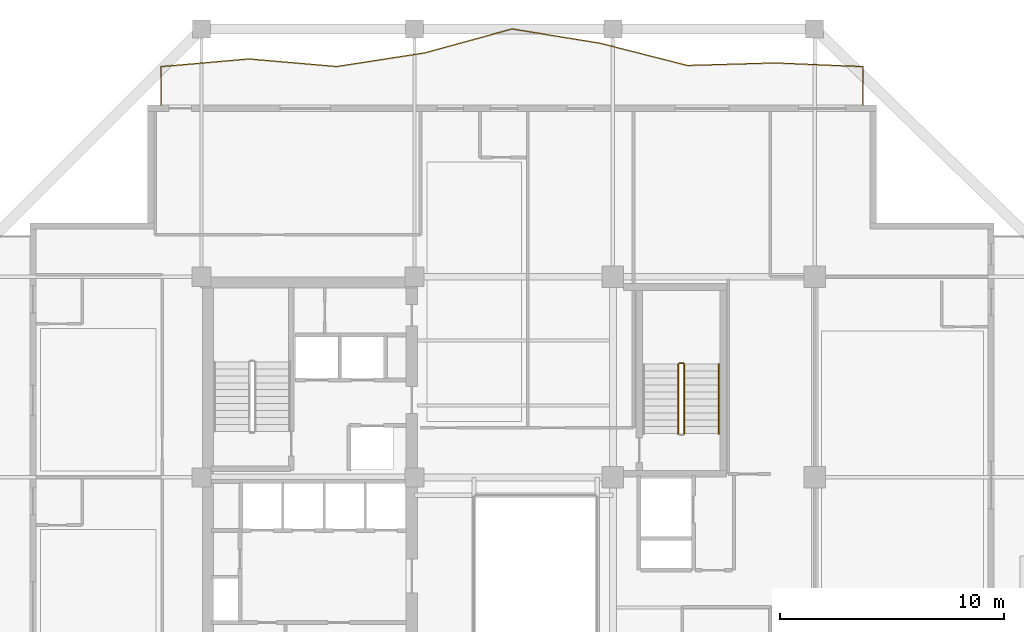
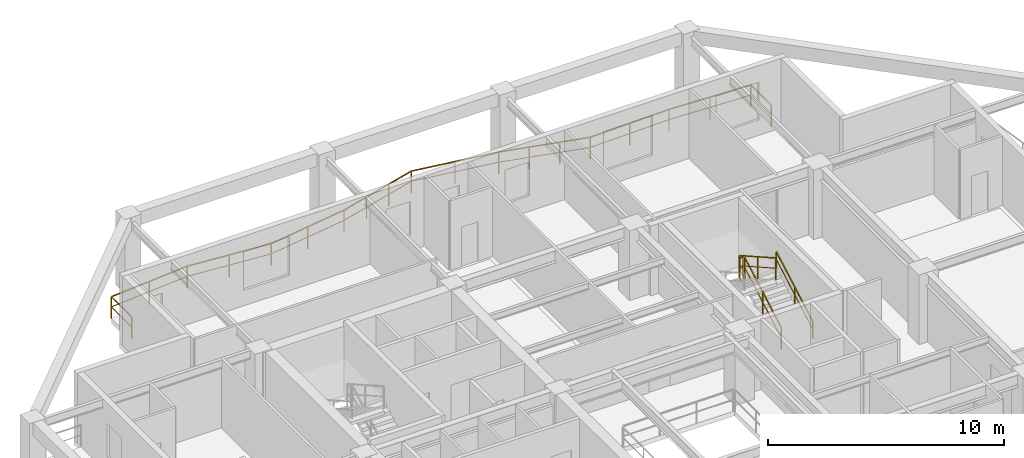
# One storey, part 12 of 13: 5 railings.
"""IFC4 building model written with IfcOpenShell, lengths in metres."""

from ifc_helpers import new_model, si_unit, direction, frame, origin, origin_2d, place, context, subcontext, project, spatial, rectangle, extrude, material, type_object, element, save


model = new_model("IFC4")

# Units and contexts
model_context = context("Model", 3, precision=1e-05, world=origin(), true_north=direction((0.0, 1.0)))
body_context = subcontext(model_context, "Body", "Model", "MODEL_VIEW")
ifc_project = project(units=[si_unit("LENGTHUNIT", "METRE"), si_unit("AREAUNIT", "SQUARE_METRE"), si_unit("VOLUMEUNIT", "CUBIC_METRE"), si_unit("PLANEANGLEUNIT", "RADIAN"), si_unit("MASSUNIT", "GRAM", prefix="KILO")], contexts=[model_context])

# Site, building, storey
site_placement = place(None, origin())
site = spatial("IfcSite", under=ifc_project, at=site_placement, CompositionType="ELEMENT")
building_placement = place(site_placement, origin())
building = spatial("IfcBuilding", under=site, at=building_placement, Name="Kundavana Baori Tower", CompositionType="ELEMENT")
storey_placement = place(building_placement, frame((0.0, 0.0, 181.0)))
storey = spatial("IfcBuildingStorey", under=building, at=storey_placement, Name="L44", CompositionType="ELEMENT", Elevation=181.0)

# Railings
ifc_material_1 = material(Name="Architectural Patinated Bronze Metalwork")
railing_type_1 = type_object("IfcRailingType", Name="RL-BAL-1150", PredefinedType="BALUSTRADE", material=ifc_material_1)
railing_1_placement = place(storey_placement, frame((13.64990234375, 49.60009765625, 0.0)))
element("IfcRailing", 1, at=railing_1_placement, inside=storey, type_object=railing_type_1, Name="L44 Loggia Balcony Balustrade N", PredefinedType="BALUSTRADE", context=body_context, shape_type="SweptSolid", body=[
    extrude(rectangle(XDim=0.048095703125, YDim=0.048095703125, at=origin_2d()), frame((0.0, 0.0, 1.1259765625), z_axis=(0.0, 1.0, 0.0), x_axis=(-1.0, 0.0, 0.0)), (0.0, 0.0, 1.0), 1.719970703125),
    extrude(rectangle(XDim=0.03125, YDim=0.03125, at=origin_2d()), frame((0.0, 0.0, 0.597900390625), z_axis=(0.0, 1.0, 0.0), x_axis=(-1.0, 0.0, 0.0)), (0.0, 0.0, 1.0), 1.719970703125),
    extrude(rectangle(XDim=0.048095703125, YDim=0.048095703125, at=origin_2d()), frame((0.0, 1.719970703125, 1.1259765625), z_axis=(0.996134650998, 0.087839382293, 0.0), x_axis=(-0.087839382293, 0.996134650998, 0.0)), (0.0, 0.0, 1.0), 3.92724609375),
    extrude(rectangle(XDim=0.03125, YDim=0.03125, at=origin_2d()), frame((0.0, 1.719970703125, 0.597900390625), z_axis=(0.996134650998, 0.087839382293, 0.0), x_axis=(-0.087839382293, 0.996134650998, 0.0)), (0.0, 0.0, 1.0), 3.92724609375),
    extrude(rectangle(XDim=0.048095703125, YDim=0.048095703125, at=origin_2d()), frame((3.912109375, 2.06494140625, 1.1259765625), z_axis=(0.996265968205, -0.086337249179, 0.0), x_axis=(0.086337249179, 0.996265968205, 0.0)), (0.0, 0.0, 1.0), 3.927734375),
    extrude(rectangle(XDim=0.03125, YDim=0.03125, at=origin_2d()), frame((3.912109375, 2.06494140625, 0.597900390625), z_axis=(0.996265968205, -0.086337249179, 0.0), x_axis=(0.086337249179, 0.996265968205, 0.0)), (0.0, 0.0, 1.0), 3.927734375),
    extrude(rectangle(XDim=0.048095703125, YDim=0.048095703125, at=origin_2d()), frame((7.8251953125, 1.725830078125, 1.1259765625), z_axis=(0.988294579625, 0.15255760841, 0.0), x_axis=(-0.15255760841, 0.988294579625, 0.0)), (0.0, 0.0, 1.0), 3.959228515625),
    extrude(rectangle(XDim=0.03125, YDim=0.03125, at=origin_2d()), frame((7.8251953125, 1.725830078125, 0.597900390625), z_axis=(0.988294579625, 0.15255760841, 0.0), x_axis=(-0.15255760841, 0.988294579625, 0.0)), (0.0, 0.0, 1.0), 3.959228515625),
    extrude(rectangle(XDim=0.048095703125, YDim=0.048095703125, at=origin_2d()), frame((11.738037109375, 2.329833984375, 1.1259765625), z_axis=(0.964567688051, 0.263835507784, 0.0), x_axis=(-0.263835507784, 0.964567688051, 0.0)), (0.0, 0.0, 1.0), 4.055908203125),
    extrude(rectangle(XDim=0.03125, YDim=0.03125, at=origin_2d()), frame((11.738037109375, 2.329833984375, 0.597900390625), z_axis=(0.964567688051, 0.263835507784, 0.0), x_axis=(-0.263835507784, 0.964567688051, 0.0)), (0.0, 0.0, 1.0), 4.055908203125),
    extrude(rectangle(XDim=0.048095703125, YDim=0.048095703125, at=origin_2d()), frame((15.650146484375, 3.39990234375, 1.1259765625), z_axis=(0.987241120713, -0.159232438825, 0.0), x_axis=(0.159232438825, 0.987241120713, 0.0)), (0.0, 0.0, 1.0), 3.96337890625),
    extrude(rectangle(XDim=0.03125, YDim=0.03125, at=origin_2d()), frame((15.650146484375, 3.39990234375, 0.597900390625), z_axis=(0.987241120713, -0.159232438825, 0.0), x_axis=(0.159232438825, 0.987241120713, 0.0)), (0.0, 0.0, 1.0), 3.96337890625),
    extrude(rectangle(XDim=0.048095703125, YDim=0.048095703125, at=origin_2d()), frame((19.56298828125, 2.768798828125, 1.1259765625), z_axis=(0.969152617232, -0.246461365153, 0.0), x_axis=(0.246461365153, 0.969152617232, 0.0)), (0.0, 0.0, 1.0), 4.03662109375),
    extrude(rectangle(XDim=0.03125, YDim=0.03125, at=origin_2d()), frame((19.56298828125, 2.768798828125, 0.597900390625), z_axis=(0.969152617232, -0.246461365153, 0.0), x_axis=(0.246461365153, 0.969152617232, 0.0)), (0.0, 0.0, 1.0), 4.03662109375),
    extrude(rectangle(XDim=0.048095703125, YDim=0.048095703125, at=origin_2d()), frame((23.47509765625, 1.77392578125, 1.1259765625), z_axis=(0.999583033059, 0.028874902939, 0.0), x_axis=(-0.028874902939, 0.999583033059, 0.0)), (0.0, 0.0, 1.0), 3.914794921875),
    extrude(rectangle(XDim=0.03125, YDim=0.03125, at=origin_2d()), frame((23.47509765625, 1.77392578125, 0.597900390625), z_axis=(0.999583033059, 0.028874902939, 0.0), x_axis=(-0.028874902939, 0.999583033059, 0.0)), (0.0, 0.0, 1.0), 3.914794921875),
    extrude(rectangle(XDim=0.048095703125, YDim=0.048095703125, at=origin_2d()), frame((27.38818359375, 1.886962890625, 1.1259765625), z_axis=(0.999090083647, -0.042649792, 0.0), x_axis=(0.042649792, 0.999090083647, 0.0)), (0.0, 0.0, 1.0), 3.91552734375),
    extrude(rectangle(XDim=0.03125, YDim=0.03125, at=origin_2d()), frame((27.38818359375, 1.886962890625, 0.597900390625), z_axis=(0.999090083647, -0.042649792, 0.0), x_axis=(0.042649792, 0.999090083647, 0.0)), (0.0, 0.0, 1.0), 3.91552734375),
    extrude(rectangle(XDim=0.048095703125, YDim=0.048095703125, at=origin_2d()), frame((31.300048828125, 1.719970703125, 1.1259765625), z_axis=(0.0, -1.0, 0.0), x_axis=(1.0, 0.0, 0.0)), (0.0, 0.0, 1.0), 1.719970703125),
    extrude(rectangle(XDim=0.03125, YDim=0.03125, at=origin_2d()), frame((31.300048828125, 1.719970703125, 0.597900390625), z_axis=(0.0, -1.0, 0.0), x_axis=(1.0, 0.0, 0.0)), (0.0, 0.0, 1.0), 1.719970703125),
    extrude(rectangle(XDim=0.0419921875, YDim=0.0419921875, at=origin_2d()), origin(), (0.0, 0.0, 1.0), 1.101806640625),
    extrude(rectangle(XDim=0.0419921875, YDim=0.0419921875, at=origin_2d()), frame((0.0, 1.719970703125, 0.0)), (0.0, 0.0, 1.0), 1.101806640625),
    extrude(rectangle(XDim=0.0419921875, YDim=0.0419921875, at=origin_2d()), frame((1.9560546875, 1.892578125, 0.0)), (0.0, 0.0, 1.0), 1.101806640625),
    extrude(rectangle(XDim=0.0419921875, YDim=0.0419921875, at=origin_2d()), frame((3.912109375, 2.06494140625, 0.0)), (0.0, 0.0, 1.0), 1.101806640625),
    extrude(rectangle(XDim=0.0419921875, YDim=0.0419921875, at=origin_2d()), frame((5.86865234375, 1.8955078125, 0.0)), (0.0, 0.0, 1.0), 1.101806640625),
    extrude(rectangle(XDim=0.0419921875, YDim=0.0419921875, at=origin_2d()), frame((7.8251953125, 1.725830078125, 0.0)), (0.0, 0.0, 1.0), 1.101806640625),
    extrude(rectangle(XDim=0.0419921875, YDim=0.0419921875, at=origin_2d()), frame((9.78173828125, 2.02783203125, 0.0)), (0.0, 0.0, 1.0), 1.101806640625),
    extrude(rectangle(XDim=0.0419921875, YDim=0.0419921875, at=origin_2d()), frame((11.738037109375, 2.329833984375, 0.0)), (0.0, 0.0, 1.0), 1.101806640625),
    extrude(rectangle(XDim=0.0419921875, YDim=0.0419921875, at=origin_2d()), frame((13.0419921875, 2.6865234375, 0.0)), (0.0, 0.0, 1.0), 1.101806640625),
    extrude(rectangle(XDim=0.0419921875, YDim=0.0419921875, at=origin_2d()), frame((14.34619140625, 3.043212890625, 0.0)), (0.0, 0.0, 1.0), 1.101806640625),
    extrude(rectangle(XDim=0.0419921875, YDim=0.0419921875, at=origin_2d()), frame((15.650146484375, 3.39990234375, 0.0)), (0.0, 0.0, 1.0), 1.101806640625),
    extrude(rectangle(XDim=0.0419921875, YDim=0.0419921875, at=origin_2d()), frame((17.6064453125, 3.08447265625, 0.0)), (0.0, 0.0, 1.0), 1.101806640625),
    extrude(rectangle(XDim=0.0419921875, YDim=0.0419921875, at=origin_2d()), frame((19.56298828125, 2.768798828125, 0.0)), (0.0, 0.0, 1.0), 1.101806640625),
    extrude(rectangle(XDim=0.0419921875, YDim=0.0419921875, at=origin_2d()), frame((20.866943359375, 2.437255859375, 0.0)), (0.0, 0.0, 1.0), 1.101806640625),
    extrude(rectangle(XDim=0.0419921875, YDim=0.0419921875, at=origin_2d()), frame((22.171142578125, 2.10546875, 0.0)), (0.0, 0.0, 1.0), 1.101806640625),
    extrude(rectangle(XDim=0.0419921875, YDim=0.0419921875, at=origin_2d()), frame((23.47509765625, 1.77392578125, 0.0)), (0.0, 0.0, 1.0), 1.101806640625),
    extrude(rectangle(XDim=0.0419921875, YDim=0.0419921875, at=origin_2d()), frame((25.431640625, 1.83056640625, 0.0)), (0.0, 0.0, 1.0), 1.101806640625),
    extrude(rectangle(XDim=0.0419921875, YDim=0.0419921875, at=origin_2d()), frame((27.38818359375, 1.886962890625, 0.0)), (0.0, 0.0, 1.0), 1.101806640625),
    extrude(rectangle(XDim=0.0419921875, YDim=0.0419921875, at=origin_2d()), frame((29.34423828125, 1.803466796875, 0.0)), (0.0, 0.0, 1.0), 1.101806640625),
    extrude(rectangle(XDim=0.0419921875, YDim=0.0419921875, at=origin_2d()), frame((31.300048828125, 1.719970703125, 0.0)), (0.0, 0.0, 1.0), 1.101806640625),
    extrude(rectangle(XDim=0.0419921875, YDim=0.0419921875, at=origin_2d()), frame((31.300048828125, 0.0, 0.0)), (0.0, 0.0, 1.0), 1.101806640625),
])
ifc_material_2 = material(Name="Architectural Patinated Bronze Metalwork")
railing_type_2 = type_object("IfcRailingType", Name="RL-GRD-1150", PredefinedType="GUARDRAIL", material=ifc_material_2)
railing_2_placement = place(storey_placement, frame((36.97998046875, 34.949951171875, 0.175048828125)))
element("IfcRailing", 2, at=railing_2_placement, inside=storey, type_object=railing_type_2, Name="L44 ST3 stair guard 1", PredefinedType="GUARDRAIL", context=body_context, shape_type="SweptSolid", body=[
    extrude(rectangle(XDim=0.048095703125, YDim=0.048095703125, at=origin_2d()), frame((0.0, 0.0, 1.1259765625), z_axis=(0.0, 0.870830938388, 0.491582624537), x_axis=(-1.0, 0.0, 0.0)), (0.0, 0.0, 1.0), 3.559814453125),
    extrude(rectangle(XDim=0.03125, YDim=0.03125, at=origin_2d()), frame((0.0, 0.0, 0.597900390625), z_axis=(0.0, 0.870830938388, 0.491582624537), x_axis=(-1.0, 0.0, 0.0)), (0.0, 0.0, 1.0), 3.559814453125),
    extrude(rectangle(XDim=0.0419921875, YDim=0.0419921875, at=origin_2d()), origin(), (0.0, 0.0, 1.0), 1.101806640625),
    extrude(rectangle(XDim=0.0419921875, YDim=0.0419921875, at=origin_2d()), frame((0.0, 1.550048828125, 0.875)), (0.0, 0.0, 1.0), 1.101806640625),
    extrude(rectangle(XDim=0.0419921875, YDim=0.0419921875, at=origin_2d()), frame((0.0, 3.10009765625, 1.75)), (0.0, 0.0, 1.0), 1.101806640625),
])
railing_3_placement = place(storey_placement, frame((36.929931640625, 38.10009765625, 1.925048828125)))
element("IfcRailing", 3, at=railing_3_placement, inside=storey, type_object=railing_type_2, Name="L44 ST3 stair guard 2", PredefinedType="GUARDRAIL", context=body_context, shape_type="SweptSolid", body=[
    extrude(rectangle(XDim=0.048095703125, YDim=0.048095703125, at=origin_2d()), frame((0.0, 0.0, 1.1259765625), z_axis=(-1.0, 0.0, 0.0), x_axis=(0.0, -1.0, 0.0)), (0.0, 0.0, 1.0), 0.159912109375),
    extrude(rectangle(XDim=0.03125, YDim=0.03125, at=origin_2d()), frame((0.0, 0.0, 0.597900390625), z_axis=(-1.0, 0.0, 0.0), x_axis=(0.0, -1.0, 0.0)), (0.0, 0.0, 1.0), 0.159912109375),
    extrude(rectangle(XDim=0.0419921875, YDim=0.0419921875, at=origin_2d()), origin(), (0.0, 0.0, 1.0), 1.101806640625),
    extrude(rectangle(XDim=0.0419921875, YDim=0.0419921875, at=origin_2d()), frame((-0.159912109375, 0.0, 0.0)), (0.0, 0.0, 1.0), 1.101806640625),
])
railing_4_placement = place(storey_placement, frame((36.719970703125, 38.050048828125, 2.10009765625)))
element("IfcRailing", 4, at=railing_4_placement, inside=storey, type_object=railing_type_2, Name="L44 ST3 stair guard 3", PredefinedType="GUARDRAIL", context=body_context, shape_type="SweptSolid", body=[
    extrude(rectangle(XDim=0.048095703125, YDim=0.048095703125, at=origin_2d()), frame((0.0, 0.0, 1.1259765625), z_axis=(0.0, -0.870830938388, 0.491582624537), x_axis=(1.0, 0.0, 0.0)), (0.0, 0.0, 1.0), 3.559814453125),
    extrude(rectangle(XDim=0.03125, YDim=0.03125, at=origin_2d()), frame((0.0, 0.0, 0.597900390625), z_axis=(0.0, -0.870830938388, 0.491582624537), x_axis=(1.0, 0.0, 0.0)), (0.0, 0.0, 1.0), 3.559814453125),
    extrude(rectangle(XDim=0.0419921875, YDim=0.0419921875, at=origin_2d()), origin(), (0.0, 0.0, 1.0), 1.101806640625),
    extrude(rectangle(XDim=0.0419921875, YDim=0.0419921875, at=origin_2d()), frame((0.0, -1.550048828125, 0.875)), (0.0, 0.0, 1.0), 1.101806640625),
    extrude(rectangle(XDim=0.0419921875, YDim=0.0419921875, at=origin_2d()), frame((0.0, -3.10009765625, 1.75)), (0.0, 0.0, 1.0), 1.101806640625),
])
ifc_material_3 = material(Name="Architectural Patinated Bronze Metalwork")
railing_type_3 = type_object("IfcRailingType", Name="RL-HND-920", PredefinedType="HANDRAIL", material=ifc_material_3)
railing_5_placement = place(storey_placement, frame((38.530029296875, 34.949951171875, 0.175048828125)))
element("IfcRailing", 5, at=railing_5_placement, inside=storey, type_object=railing_type_3, Name="L44 ST3 stair handrail 1", PredefinedType="HANDRAIL", context=body_context, shape_type="SweptSolid", body=[
    extrude(rectangle(XDim=0.048095703125, YDim=0.048095703125, at=origin_2d()), frame((0.0, 0.0, 0.8759765625), z_axis=(0.0, 0.870830938388, 0.491582624537), x_axis=(-1.0, 0.0, 0.0)), (0.0, 0.0, 1.0), 3.559814453125),
    extrude(rectangle(XDim=0.03125, YDim=0.03125, at=origin_2d()), frame((0.0, 0.0, 0.468017578125), z_axis=(0.0, 0.870830938388, 0.491582624537), x_axis=(-1.0, 0.0, 0.0)), (0.0, 0.0, 1.0), 3.559814453125),
    extrude(rectangle(XDim=0.0419921875, YDim=0.0419921875, at=origin_2d()), origin(), (0.0, 0.0, 1.0), 0.851806640625),
    extrude(rectangle(XDim=0.0419921875, YDim=0.0419921875, at=origin_2d()), frame((0.0, 1.550048828125, 0.875)), (0.0, 0.0, 1.0), 0.851806640625),
    extrude(rectangle(XDim=0.0419921875, YDim=0.0419921875, at=origin_2d()), frame((0.0, 3.10009765625, 1.75)), (0.0, 0.0, 1.0), 0.851806640625),
])

save(model, "model.ifc")
